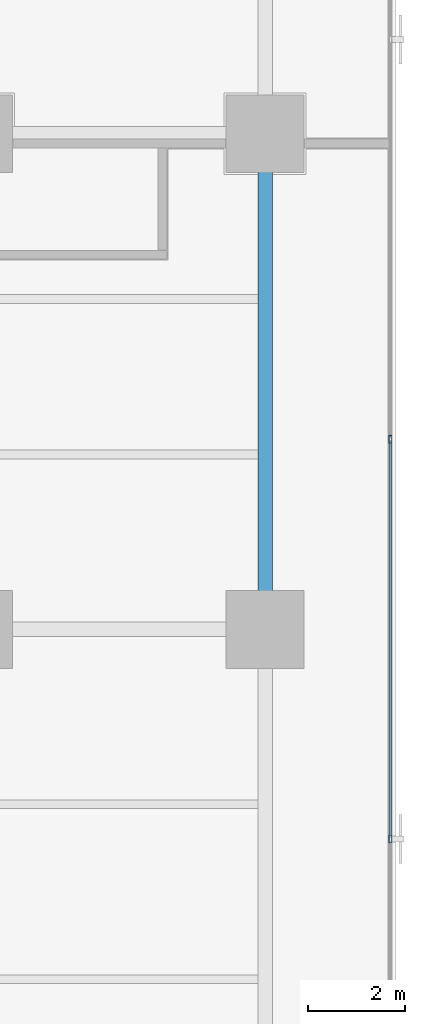
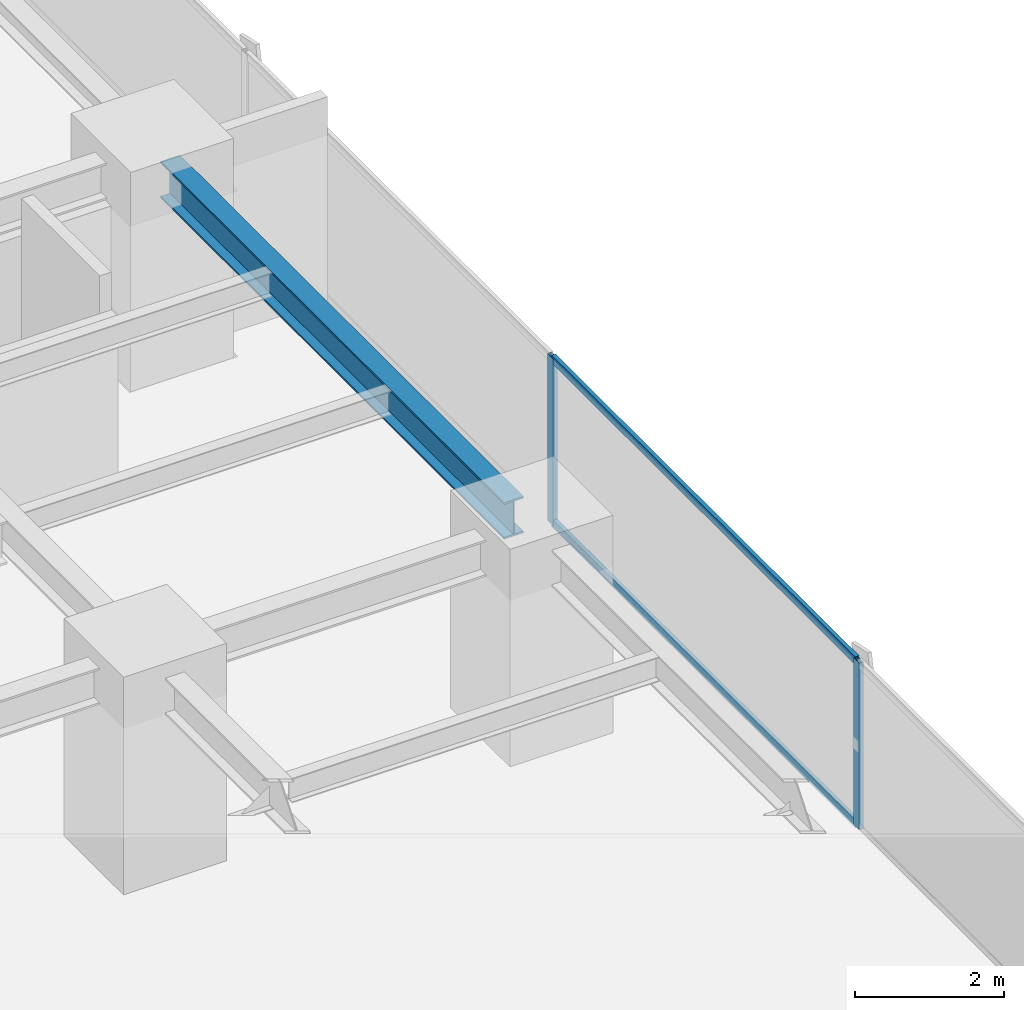
# One storey, part 16 of 37: 4 members, 1 beam, 1 element without a shape of its own.
"""IFC4 building model written with IfcOpenShell, lengths in metres."""

from ifc_helpers import new_model, si_unit, direction, frame, origin, origin_2d, place, context, subcontext, project, spatial, hollow_rectangle, i_section, extrude, source, transform, mapped, material, layer, layer_set, material_profile, profile_set, type_object, element, aggregate, save


model = new_model("IFC4")

# Units and contexts
model_context = context("Model", 3, precision=1e-05, world=origin(), true_north=direction((0.0, 1.0)))
body_context = subcontext(model_context, "Body", "Model", "MODEL_VIEW")
ifc_project = project(units=[si_unit("LENGTHUNIT", "METRE"), si_unit("AREAUNIT", "SQUARE_METRE"), si_unit("VOLUMEUNIT", "CUBIC_METRE"), si_unit("PLANEANGLEUNIT", "RADIAN"), si_unit("MASSUNIT", "GRAM", prefix="KILO")], contexts=[model_context])

# Site, building, storey
site_placement = place(None, origin())
site = spatial("IfcSite", under=ifc_project, at=site_placement, CompositionType="ELEMENT")
building_placement = place(site_placement, origin())
building = spatial("IfcBuilding", under=site, at=building_placement, Name="Sumidabori Civic Tower", CompositionType="ELEMENT")
storey_placement = place(building_placement, frame((0.0, 0.0, 117.199951171875)))
storey = spatial("IfcBuildingStorey", under=building, at=storey_placement, Name="L30", CompositionType="ELEMENT", Elevation=117.199951171875)

# Beam
ifc_material_1 = material(Name="Steel SN490", Category="steel")
ifc_material_profile_1 = material_profile(ifc_material_1, i_section(OverallWidth=0.300048828125, OverallDepth=0.60009765625, WebThickness=0.015380859375, FlangeThickness=0.030029296875, at=origin_2d()), Name="HE 600 B")
ifc_profile_set_1 = profile_set([ifc_material_profile_1], Name="Steel SN490")
beam_type = type_object("IfcBeamType", Name="BM-GIRD-600", PredefinedType="BEAM", material=ifc_profile_set_1)
shared_shape_1 = source(origin(), body_context, "Body", "SweptSolid", [
    extrude(i_section(OverallWidth=0.300048828125, OverallDepth=0.60009765625, WebThickness=0.015380859375, FlangeThickness=0.030029296875, at=origin_2d()), origin(), (0.0, 0.0, 1.0), 9.239990234375),
])
beam_placement = place(storey_placement, frame((22.800048828125, 0.47998046875, 3.06005859375), z_axis=(0.0, 1.0, 0.0), x_axis=(-1.0, 0.0, 0.0)))
element("IfcBeam", 1, at=beam_placement, inside=storey, type_object=beam_type, Name="Primary Girder L30 GY-41", PredefinedType="BEAM", context=body_context, shape_type="MappedRepresentation", body=[
    mapped(shared_shape_1, transform((0.0, 0.0, 0.0), x_axis=(1.0, 0.0, 0.0), y_axis=(0.0, 1.0, 0.0), z_axis=(0.0, 0.0, 1.0), scale=1.0)),
])

# Curtain wall, members
ifc_material_2 = material(Name="Anodised Bronze Aluminium AW-6063-T6", Category="aluminium")
ifc_layer = layer(ifc_material_2, 0.179931640625, Name="Anodised Bronze Aluminium AW-6063-T6")
ifc_layer_set = layer_set([ifc_layer], Name="Anodised Bronze Aluminium AW-6063-T6")
curtain_wall_type = type_object("IfcCurtainWallType", Name="CW-SYS-3", PredefinedType="NOTDEFINED", material=ifc_layer_set)
curtain_wall_placement = place(storey_placement, origin())
curtain_wall = element("IfcCurtainWall", 2, at=curtain_wall_placement, inside=storey, type_object=curtain_wall_type, Name="Curtain Wall CW:L30:R04", PredefinedType="NOTDEFINED")
ifc_material_profile_2 = material_profile(ifc_material_2, hollow_rectangle(XDim=0.06494140625, YDim=0.159912109375, WallThickness=0.0048828125, at=origin_2d()), Name="ALU MULLION 160x65")
ifc_profile_set_2 = profile_set([ifc_material_profile_2], Name="Anodised Bronze Aluminium AW-6063-T6")
member_type_1 = type_object("IfcMemberType", Name="CW-MUL-160", PredefinedType="MULLION", material=ifc_profile_set_2)
shared_shape_2 = source(origin(), body_context, "Body", "SweptSolid", [
    extrude(hollow_rectangle(XDim=0.06494140625, YDim=0.159912109375, WallThickness=0.0048828125, at=origin_2d()), origin(), (0.0, 0.0, 1.0), 2.739990234375),
])
member_1_placement = place(storey_placement, frame((25.3798828125, -4.31396484375, 0.0), z_axis=(0.0, 0.0, 1.0), x_axis=(-1.0, 0.0, 0.0)))
member_1 = element("IfcMember", 3, at=member_1_placement, type_object=member_type_1, Name="CW-3 mullion 3", PredefinedType="MULLION", context=body_context, shape_type="MappedRepresentation", body=[
    mapped(shared_shape_2, transform((0.0, 0.0, 0.0), x_axis=(1.0, 0.0, 0.0), y_axis=(0.0, 1.0, 0.0), z_axis=(0.0, 0.0, 1.0), scale=1.0)),
])
member_2_placement = place(storey_placement, frame((25.3798828125, 3.9140625, 0.0), z_axis=(0.0, 0.0, 1.0), x_axis=(-1.0, 0.0, 0.0)))
member_2 = element("IfcMember", 4, at=member_2_placement, type_object=member_type_1, Name="CW-3 mullion 4", PredefinedType="MULLION", context=body_context, shape_type="MappedRepresentation", body=[
    mapped(shared_shape_2, transform((0.0, 0.0, 0.0), x_axis=(1.0, 0.0, 0.0), y_axis=(0.0, 1.0, 0.0), z_axis=(0.0, 0.0, 1.0), scale=1.0)),
])
ifc_material_profile_3 = material_profile(ifc_material_2, hollow_rectangle(XDim=0.06005859375, YDim=0.1298828125, WallThickness=0.0048828125, at=origin_2d()), Name="ALU TRANSOM 130x60")
ifc_profile_set_3 = profile_set([ifc_material_profile_3], Name="Anodised Bronze Aluminium AW-6063-T6")
member_type_2 = type_object("IfcMemberType", Name="CW-TRN-130", PredefinedType="USERDEFINED", material=ifc_profile_set_3)
shared_shape_3 = source(origin(), body_context, "Body", "SweptSolid", [
    extrude(hollow_rectangle(XDim=0.06005859375, YDim=0.1298828125, WallThickness=0.0048828125, at=origin_2d()), origin(), (0.0, 0.0, 1.0), 8.1630859375),
])
member_3_placement = place(storey_placement, frame((25.3798828125, -4.281494140625, 0.030029296875), z_axis=(0.0, 1.0, 0.0), x_axis=(-1.0, 0.0, 0.0)))
member_3 = element("IfcMember", 5, at=member_3_placement, type_object=member_type_2, Name="CW-3 transom 3.1", ObjectType="TRANSOM", PredefinedType="USERDEFINED", context=body_context, shape_type="MappedRepresentation", body=[
    mapped(shared_shape_3, transform((0.0, 0.0, 0.0), x_axis=(1.0, 0.0, 0.0), y_axis=(0.0, 1.0, 0.0), z_axis=(0.0, 0.0, 1.0), scale=1.0)),
])
member_4_placement = place(storey_placement, frame((25.3798828125, -4.281494140625, 2.7099609375), z_axis=(0.0, 1.0, 0.0), x_axis=(-1.0, 0.0, 0.0)))
member_4 = element("IfcMember", 6, at=member_4_placement, type_object=member_type_2, Name="CW-3 transom 3.2", ObjectType="TRANSOM", PredefinedType="USERDEFINED", context=body_context, shape_type="MappedRepresentation", body=[
    mapped(shared_shape_3, transform((0.0, 0.0, 0.0), x_axis=(1.0, 0.0, 0.0), y_axis=(0.0, 1.0, 0.0), z_axis=(0.0, 0.0, 1.0), scale=1.0)),
])
aggregate(curtain_wall, [member_1, member_2, member_3, member_4])

save(model, "model.ifc")
